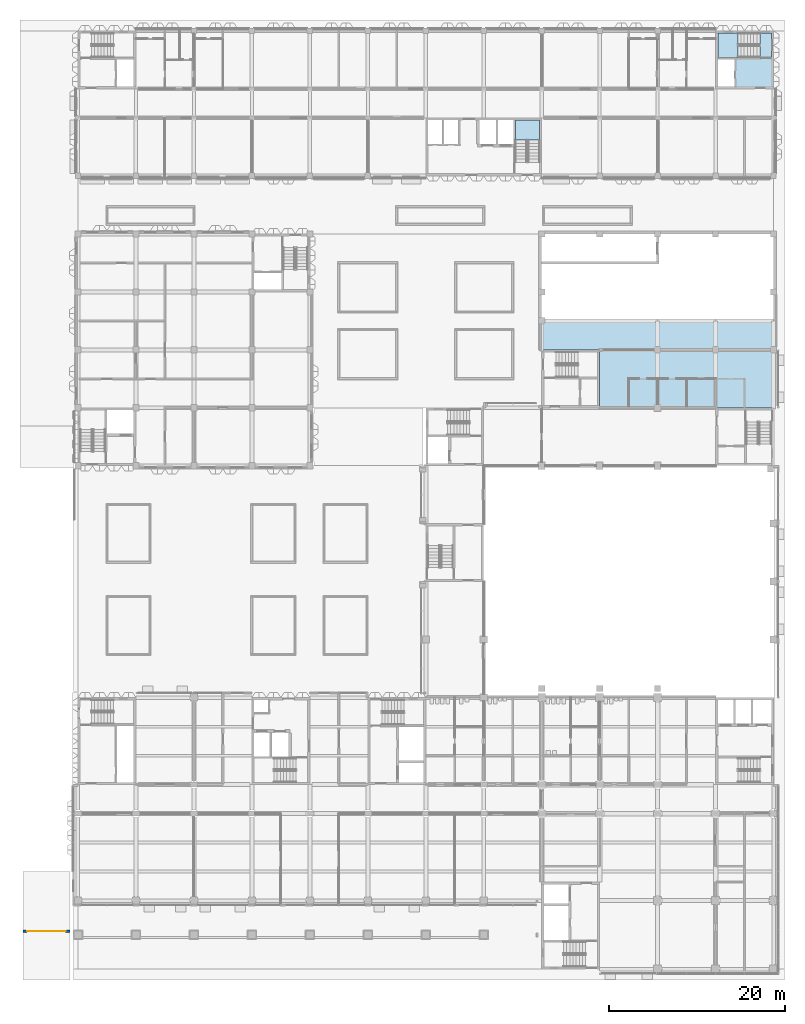
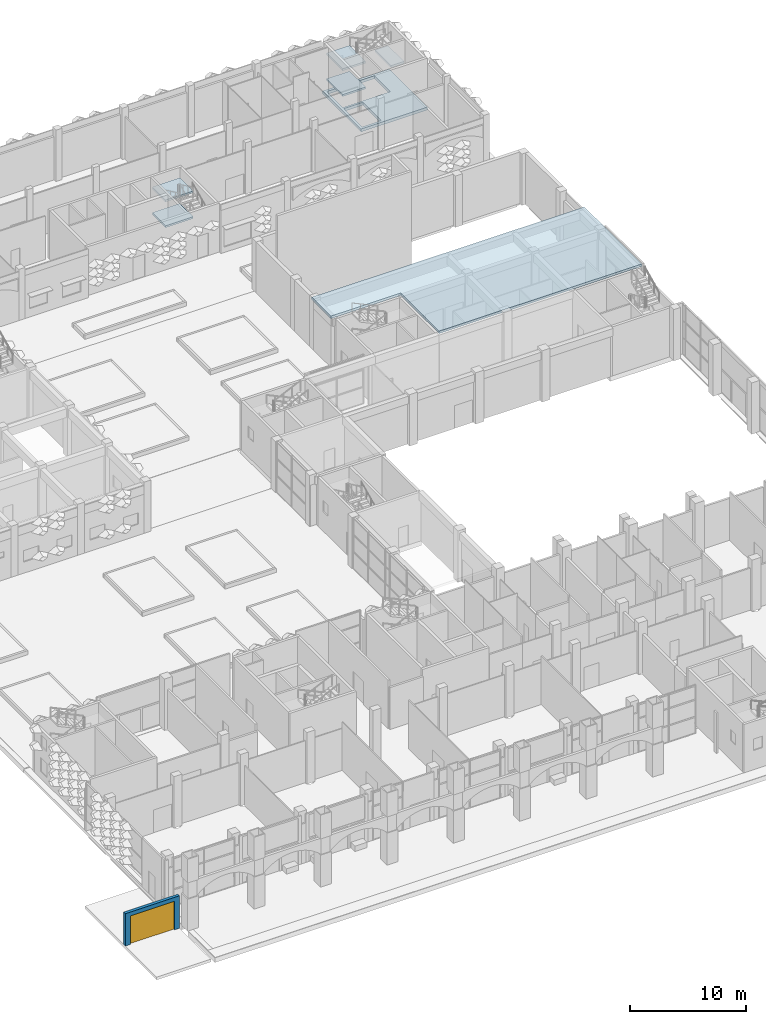
# One storey, part 25 of 85: 7 slabs, 1 door, 1 wall, 1 opening, 2 elements without a shape of their own.
"""IFC4 building model written with IfcOpenShell, lengths in metres."""

import ifcopenshell
import ifcopenshell.guid

model = None  # the IFC model being written
_history = None  # IfcOwnerHistory: only IFC2X3 demands one
_inside = {}  # id of a spatial element -> (the spatial element, [elements in it])
_under = {}  # id of a project, library or spatial element -> (it, [spatial elements below it])
_declared = {}  # id of a project -> (the project, [libraries it declares])
_typed = {}  # id of a type object -> (the type object, [elements of that type])
_made_of = {}  # id of a material, layer set ... -> (it, [elements and type objects made of it])


def new_model(schema):
    """Start an empty IFC model of exactly this schema.

    Asked for "IFC4X3", IfcOpenShell would pick the latest addendum, in which some entities
    have other attributes; the version numbers below select the first issue.
    IFC2X3 requires an IfcOwnerHistory on every rooted entity: one is made here for all.
    """
    global model, _history
    if schema == "IFC4X3":
        model = ifcopenshell.file(schema_version=(4, 3, 0, 0))
    else:
        model = ifcopenshell.file(schema=schema)
    _inside.clear()
    _under.clear()
    _declared.clear()
    _typed.clear()
    _made_of.clear()
    _history = None
    if model.schema == "IFC2X3":
        org = make("IfcOrganization", Name="unknown")
        user = make(
            "IfcPersonAndOrganization",
            ThePerson=make("IfcPerson", FamilyName="unknown"),
            TheOrganization=org,
        )
        app = make(
            "IfcApplication",
            ApplicationDeveloper=org,
            Version="unknown",
            ApplicationFullName="unknown",
            ApplicationIdentifier="unknown",
        )
        _history = make(
            "IfcOwnerHistory",
            OwningUser=user,
            OwningApplication=app,
            ChangeAction="ADDED",
            CreationDate=0,
        )
    return model


def make(cls, **values):
    """One entity of the class cls with the attributes given. An attribute that is None is left unset."""
    return model.create_entity(
        cls, **{name: value for name, value in values.items() if value is not None}
    )


def rooted(cls, **values):
    """An entity with a GlobalId (a new one), such as an element, a storey or a relation."""
    return make(cls, GlobalId=ifcopenshell.guid.new(), OwnerHistory=_history, **values)


def si_unit(unit_type, name, prefix=None):
    """IfcSIUnit, for example si_unit("LENGTHUNIT", "METRE", prefix="MILLI")."""
    return make("IfcSIUnit", UnitType=unit_type, Prefix=prefix, Name=name)


def assignment(units):
    """IfcUnitAssignment: the units of a project."""
    return None if units is None else make("IfcUnitAssignment", Units=units)


def point(xyz):
    """IfcCartesianPoint."""
    return None if xyz is None else make("IfcCartesianPoint", Coordinates=xyz)


def direction(xyz):
    """IfcDirection."""
    return None if xyz is None else make("IfcDirection", DirectionRatios=xyz)


def frame(location, z_axis=None, x_axis=None):
    """IfcAxis2Placement3D, a coordinate frame: its origin and axes. An axis left out is left unset."""
    return make(
        "IfcAxis2Placement3D",
        Location=point(location),
        Axis=direction(z_axis),
        RefDirection=direction(x_axis),
    )


def frame_2d(location, x_axis=None):
    """IfcAxis2Placement2D, a coordinate frame in the plane: its origin and x axis."""
    return make(
        "IfcAxis2Placement2D", Location=point(location), RefDirection=direction(x_axis)
    )


def origin():
    """The frame at (0, 0, 0) with its axes left unset."""
    return frame((0.0, 0.0, 0.0))


def place(relative_to, where):
    """IfcLocalPlacement: puts the frame where relative to a parent placement (None: the world)."""
    return make(
        "IfcLocalPlacement", PlacementRelTo=relative_to, RelativePlacement=where
    )


def context(
    kind, dimensions, precision=None, world=None, true_north=None, identifier=None
):
    """IfcGeometricRepresentationContext, for example the 3D "Model" context."""
    return make(
        "IfcGeometricRepresentationContext",
        ContextIdentifier=identifier,
        ContextType=kind,
        CoordinateSpaceDimension=dimensions,
        Precision=precision,
        WorldCoordinateSystem=world,
        TrueNorth=true_north,
    )


def subcontext(parent, identifier, kind, view, scale=None):
    """IfcGeometricRepresentationSubContext, for example "Body" below "Model"."""
    return make(
        "IfcGeometricRepresentationSubContext",
        ContextIdentifier=identifier,
        ContextType=kind,
        ParentContext=parent,
        TargetScale=scale,
        TargetView=view,
    )


def project(units=None, contexts=None):
    """IfcProject with its units and contexts."""
    return rooted(
        "IfcProject",
        Name="project",
        RepresentationContexts=contexts,
        UnitsInContext=assignment(units),
    )


def spatial(cls, under=None, at=None, **own):
    """A site, building, storey or space (cls), placed at a placement, below another one or the project."""
    s = rooted(cls, ObjectPlacement=at, **own)
    if under is not None:
        _under.setdefault(under.id(), (under, []))[1].append(s)
    return s


def polyline(points):
    """IfcPolyline through the points."""
    return make("IfcPolyline", Points=[point(p) for p in points])


def profile(cls, at=None, kind="AREA", **sizes):
    """A parametric profile (cls). Its sizes go by their IFC names, for example OverallWidth=200.0."""
    return make(cls, ProfileType=kind, Position=at, **sizes)


def rectangle(**sizes):
    """IfcRectangleProfileDef."""
    return profile("IfcRectangleProfileDef", **sizes)


def outline(outer, holes=None, kind="AREA"):
    """IfcArbitraryClosedProfileDef: a profile drawn as a closed curve; with holes, ...WithVoids."""
    if holes is None:
        return make("IfcArbitraryClosedProfileDef", ProfileType=kind, OuterCurve=outer)
    return make(
        "IfcArbitraryProfileDefWithVoids",
        ProfileType=kind,
        OuterCurve=outer,
        InnerCurves=holes,
    )


def extrude(swept, where, along, depth):
    """IfcExtrudedAreaSolid: the profile swept, set in the frame where, extruded along a direction by depth."""
    return make(
        "IfcExtrudedAreaSolid",
        SweptArea=swept,
        Position=where,
        ExtrudedDirection=direction(along),
        Depth=depth,
    )


def shape(context_of_items, identifier, shape_type, items):
    """IfcShapeRepresentation: the items that make up one representation, for example the "Body"."""
    return make(
        "IfcShapeRepresentation",
        ContextOfItems=context_of_items,
        RepresentationIdentifier=identifier,
        RepresentationType=shape_type,
        Items=items,
    )


def material(Name=None, Category=None):
    """IfcMaterial."""
    return make("IfcMaterial", Name=Name, Category=Category)


def layer(
    of_material, thickness, ventilated=None, Name=None, Category=None, Priority=None
):
    """IfcMaterialLayer: one layer of a wall or slab, of a material (None: an air gap)."""
    return make(
        "IfcMaterialLayer",
        Material=of_material,
        LayerThickness=thickness,
        IsVentilated=ventilated,
        Name=Name,
        Category=Category,
        Priority=Priority,
    )


def layer_set(layers, Name=None):
    """IfcMaterialLayerSet."""
    return make("IfcMaterialLayerSet", MaterialLayers=layers, LayerSetName=Name)


def made_of(thing, what):
    """Note that an element or type object is made of a material, layer set ...; save() writes the relation."""
    if what is not None:
        _made_of.setdefault(what.id(), (what, []))[1].append(thing)
    return thing


def type_object(cls, material=None, **own):
    """A type object (cls), such as IfcWallType, which elements share."""
    return made_of(rooted(cls, **own), material)


def element(
    cls,
    number,
    at=None,
    inside=None,
    cuts=None,
    type_object=None,
    material=None,
    context=None,
    identifier="Body",
    shape_type=None,
    held_by="IfcProductDefinitionShape",
    body=None,
    shapes=None,
    **own,
):
    """One element of the class cls, such as IfcWall. Its Tag is "e" and its number.

    at: its placement. inside: the storey or other place that contains it. cuts: it is an
    opening in that element (IfcRelVoidsElement). A single representation is given by context,
    identifier, shape_type and body (its items); several are given by shapes. held_by: the class
    of the entity that holds the representations. save() writes the other relations.
    """
    e = rooted(cls, Tag="e%d" % number, ObjectPlacement=at, **own)
    if body is not None:
        shapes = [shape(context, identifier, shape_type, body)]
    if shapes is not None:
        e.Representation = make(held_by, Representations=shapes)
    if inside is not None:
        _inside.setdefault(inside.id(), (inside, []))[1].append(e)
    if cuts is not None:
        rooted(
            "IfcRelVoidsElement", RelatingBuildingElement=cuts, RelatedOpeningElement=e
        )
    if type_object is not None:
        _typed.setdefault(type_object.id(), (type_object, []))[1].append(e)
    return made_of(e, material)


def fill(opening, filler):
    """IfcRelFillsElement: the door or window that sits in an opening."""
    return rooted(
        "IfcRelFillsElement",
        RelatingOpeningElement=opening,
        RelatedBuildingElement=filler,
    )


def aggregate(whole, parts):
    """IfcRelAggregates: a whole, such as a stair, and the parts it consists of."""
    return rooted("IfcRelAggregates", RelatingObject=whole, RelatedObjects=parts)


def save(model, path):
    """Write the relations noted so far, then the file.

    IfcRelAggregates (storeys below a building ...), IfcRelContainedInSpatialStructure (elements
    in a storey), IfcRelDefinesByType, IfcRelAssociatesMaterial and IfcRelDeclares: one each for
    every whole, place, type object, material and project.
    """
    for whole, parts in _under.values():
        aggregate(whole, parts)
    for where, things in _inside.values():
        rooted(
            "IfcRelContainedInSpatialStructure",
            RelatedElements=things,
            RelatingStructure=where,
        )
    for kind, things in _typed.values():
        rooted("IfcRelDefinesByType", RelatedObjects=things, RelatingType=kind)
    for what, things in _made_of.values():
        rooted("IfcRelAssociatesMaterial", RelatedObjects=things, RelatingMaterial=what)
    for by, libraries in _declared.values():
        rooted("IfcRelDeclares", RelatingContext=by, RelatedDefinitions=libraries)
    model.write(path)


model = new_model("IFC4")

# Units and contexts
model_context = context("Model", 3, precision=1e-05, world=origin(), true_north=direction((0.0, 1.0)))
body_context = subcontext(model_context, "Body", "Model", "MODEL_VIEW")
ifc_project = project(units=[si_unit("LENGTHUNIT", "METRE"), si_unit("AREAUNIT", "SQUARE_METRE"), si_unit("VOLUMEUNIT", "CUBIC_METRE"), si_unit("PLANEANGLEUNIT", "RADIAN"), si_unit("MASSUNIT", "GRAM", prefix="KILO")], contexts=[model_context])

# Site, building, storey
site_placement = place(None, origin())
site = spatial("IfcSite", under=ifc_project, at=site_placement, CompositionType="ELEMENT")
building_placement = place(site_placement, origin())
building = spatial("IfcBuilding", under=site, at=building_placement, Name="Lantern Court Research Institute", CompositionType="ELEMENT")
storey_placement = place(building_placement, origin())
storey = spatial("IfcBuildingStorey", under=building, at=storey_placement, Name="L00", CompositionType="ELEMENT", Elevation=0.0)

# Slab
ifc_material_1 = material(Name="Concrete C35/45", Category="concrete")
ifc_layer_1 = layer(ifc_material_1, 0.300048828125)
ifc_layer_set_1 = layer_set([ifc_layer_1], Name="Concrete C35/45")
slab_type_1 = type_object("IfcSlabType", Name="RC core floor slab 300", PredefinedType="FLOOR", material=ifc_layer_set_1)
slab_1_placement = place(storey_placement, frame((0.0, 0.0, -0.300048828125)))
element("IfcSlab", 1, at=slab_1_placement, inside=storey, type_object=slab_type_1, Name="Floor of core WC-E", PredefinedType="FLOOR", context=body_context, shape_type="SweptSolid", body=[
    extrude(outline(polyline([(72.60009765625, 92.39990234375), (79.199951171875, 92.39990234375), (79.199951171875, 99.0), (72.60009765625, 99.0), (72.60009765625, 92.39990234375)]), holes=[polyline([(77.60009765625, 98.75), (72.85009765625, 98.75), (72.85009765625, 96.0), (77.60009765625, 96.0), (77.60009765625, 98.75)]), polyline([(72.85009765625, 92.64990234375), (72.85009765625, 95.800048828125), (74.75, 95.800048828125), (74.75, 92.64990234375), (72.85009765625, 92.64990234375)])]), origin(), (0.0, 0.0, 1.0), 0.300048828125),
])

# Stair, slabs
ifc_material_2 = material(Name="Concrete C40/50", Category="concrete")
stair_type = type_object("IfcStairType", Name="RC half-turn stair 1300 wide, 5400 rise, 6100 shaft", PredefinedType="HALF_TURN_STAIR", material=ifc_material_2)
stair_1_placement = place(storey_placement, origin())
stair_1 = element("IfcStair", 2, at=stair_1_placement, inside=storey, type_object=stair_type, Name="L00 stair ST-W2", PredefinedType="HALF_TURN_STAIR")
ifc_material_3 = material(Name="Concrete C40/50", Category="concrete")
ifc_layer_2 = layer(ifc_material_3, 0.199951171875)
ifc_layer_set_2 = layer_set([ifc_layer_2], Name="Concrete C40/50")
slab_type_2 = type_object("IfcSlabType", Name="RC stair landing 200", PredefinedType="LANDING", material=ifc_layer_set_2)
slab_2_placement = place(storey_placement, frame((0.0, 0.0, 1.14990234375)))
slab_2 = element("IfcSlab", 3, at=slab_2_placement, type_object=slab_type_2, Name="ST-W2 landing 1", PredefinedType="LANDING", context=body_context, shape_type="SweptSolid", body=[
    extrude(outline(polyline([(52.550048828125, 86.570068359375), (52.550048828125, 88.85009765625), (49.800048828125, 88.85009765625), (49.800048828125, 86.570068359375), (52.550048828125, 86.570068359375)])), origin(), (0.0, 0.0, 1.0), 0.2001953125),
])
slab_3_placement = place(storey_placement, frame((0.0, 0.0, 3.85009765625)))
slab_3 = element("IfcSlab", 4, at=slab_3_placement, type_object=slab_type_2, Name="ST-W2 landing 3", PredefinedType="LANDING", context=body_context, shape_type="SweptSolid", body=[
    extrude(outline(polyline([(52.550048828125, 86.570068359375), (52.550048828125, 88.85009765625), (49.800048828125, 88.85009765625), (49.800048828125, 86.570068359375), (52.550048828125, 86.570068359375)])), origin(), (0.0, 0.0, 1.0), 0.199951171875),
])
aggregate(stair_1, [slab_2, slab_3])

stair_2_placement = place(storey_placement, origin())
stair_2 = element("IfcStair", 5, at=stair_2_placement, inside=storey, type_object=stair_type, Name="L00 stair ST-W3", PredefinedType="HALF_TURN_STAIR")
slab_4_placement = place(storey_placement, frame((0.0, 0.0, 1.14990234375)))
slab_4 = element("IfcSlab", 6, at=slab_4_placement, type_object=slab_type_2, Name="ST-W3 landing 1", PredefinedType="LANDING", context=body_context, shape_type="SweptSolid", body=[
    extrude(outline(polyline([(75.1298828125, 98.75), (72.85009765625, 98.75), (72.85009765625, 96.0), (75.1298828125, 96.0), (75.1298828125, 98.75)])), origin(), (0.0, 0.0, 1.0), 0.2001953125),
])
slab_5_placement = place(storey_placement, frame((0.0, 0.0, 2.5)))
slab_5 = element("IfcSlab", 7, at=slab_5_placement, type_object=slab_type_2, Name="ST-W3 landing 2", PredefinedType="LANDING", context=body_context, shape_type="SweptSolid", body=[
    extrude(outline(polyline([(78.949951171875, 98.75), (77.64990234375, 98.75), (77.64990234375, 96.0), (78.949951171875, 96.0), (78.949951171875, 98.75)])), origin(), (0.0, 0.0, 1.0), 0.199951171875),
])
slab_6_placement = place(storey_placement, frame((0.0, 0.0, 3.85009765625)))
slab_6 = element("IfcSlab", 8, at=slab_6_placement, type_object=slab_type_2, Name="ST-W3 landing 3", PredefinedType="LANDING", context=body_context, shape_type="SweptSolid", body=[
    extrude(outline(polyline([(75.1298828125, 98.75), (72.85009765625, 98.75), (72.85009765625, 96.0), (75.1298828125, 96.0), (75.1298828125, 98.75)])), origin(), (0.0, 0.0, 1.0), 0.199951171875),
])
aggregate(stair_2, [slab_4, slab_5, slab_6])

# Slab
ifc_material_4 = material(Name="Concrete C35/45", Category="concrete")
ifc_layer_3 = layer(ifc_material_4, 0.25)
ifc_layer_set_3 = layer_set([ifc_layer_3], Name="Concrete C35/45")
slab_type_3 = type_object("IfcSlabType", Name="Theatre upper floor slab 250", PredefinedType="FLOOR", material=ifc_layer_set_3)
slab_7_placement = place(storey_placement, frame((0.0, 0.0, 5.14990234375)))
element("IfcSlab", 9, at=slab_7_placement, inside=storey, type_object=slab_type_3, Name="Projection and control floor slab", PredefinedType="FLOOR", context=body_context, shape_type="SweptSolid", body=[
    extrude(outline(polyline([(52.449951171875, 66.0), (79.550048828125, 66.0), (79.550048828125, 56.10009765625), (59.39990234375, 56.10009765625), (59.39990234375, 62.699951171875), (52.449951171875, 62.699951171875), (52.449951171875, 66.0)])), origin(), (0.0, 0.0, 1.0), 0.25),
])

# Wall, opening, door
ifc_material_5 = material(Name="Concrete C40/50", Category="concrete")
ifc_layer_4 = layer(ifc_material_5, 0.300048828125)
ifc_layer_set_4 = layer_set([ifc_layer_4], Name="Concrete C40/50")
wall_type = type_object("IfcWallType", Name="Gate wall 300", PredefinedType="SOLIDWALL", material=ifc_layer_set_4)
wall_placement = place(storey_placement, frame((-6.280029296875, -3.5, 0.0), z_axis=(0.0, 0.0, 1.0), x_axis=(1.0, 0.0, 0.0)))
wall = element("IfcWall", 10, at=wall_placement, inside=storey, type_object=wall_type, Name="Gate wall", PredefinedType="SOLIDWALL", context=body_context, shape_type="SweptSolid", body=[
    extrude(rectangle(XDim=5.380126953125, YDim=0.300048828125, at=frame_2d((2.68994140625, 0.0))), origin(), (0.0, 0.0, 1.0), 3.39990234375),
])
opening_placement = place(wall_placement, frame((0.489990234375, 0.0, 0.0)))
opening = element("IfcOpeningElement", 11, at=opening_placement, cuts=wall, Name="Opening VG1", PredefinedType="OPENING", context=body_context, shape_type="SweptSolid", body=[
    extrude(rectangle(XDim=4.39990234375, YDim=3.0, at=frame_2d((2.199951171875, 1.5))), frame((0.0, 0.159912109375, 0.0), z_axis=(0.0, -1.0, 0.0), x_axis=(1.0, 0.0, 0.0)), (0.0, 0.0, 1.0), 0.320068359375),
])
ifc_material_6 = material(Name="Galvanised steel S355", Category="steel")
door_type = type_object("IfcDoorType", Name="Sliding vehicle gate 4400 x 3000", OperationType="SLIDING_TO_LEFT", PredefinedType="GATE", material=ifc_material_6)
door_placement = place(opening_placement, origin())
door = element("IfcDoor", 12, at=door_placement, inside=storey, type_object=door_type, Name="Vehicle gate VG1", OperationType="SLIDING_TO_LEFT", OverallHeight=3.0, OverallWidth=4.39990234375, PredefinedType="GATE", context=body_context, shape_type="SweptSolid", body=[
    extrude(rectangle(XDim=4.39990234375, YDim=3.0, at=frame_2d((2.199951171875, 1.5))), frame((0.0, 0.02490234375, 0.0), z_axis=(0.0, -1.0, 0.0), x_axis=(1.0, 0.0, 0.0)), (0.0, 0.0, 1.0), 0.050048828125),
])
fill(opening, door)

save(model, "model.ifc")
